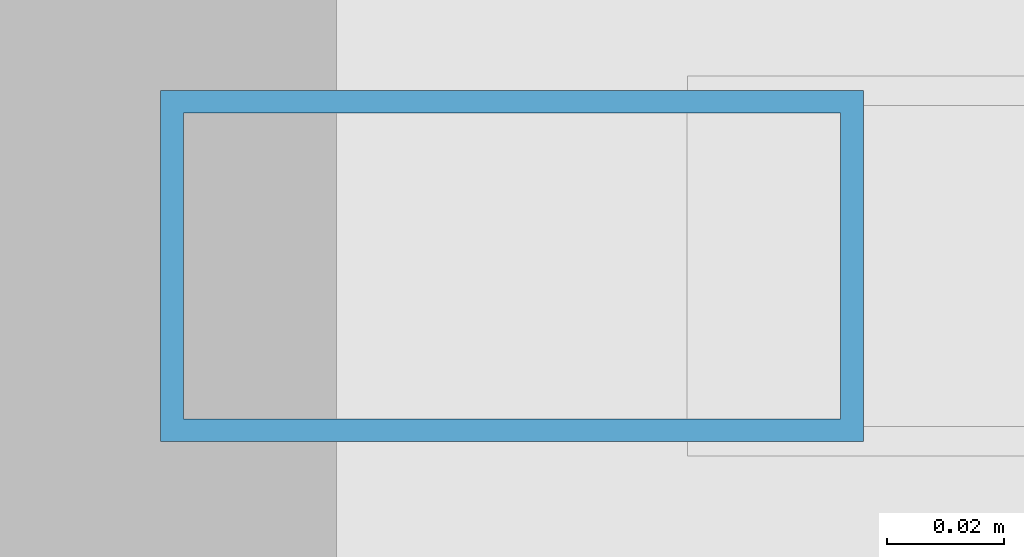
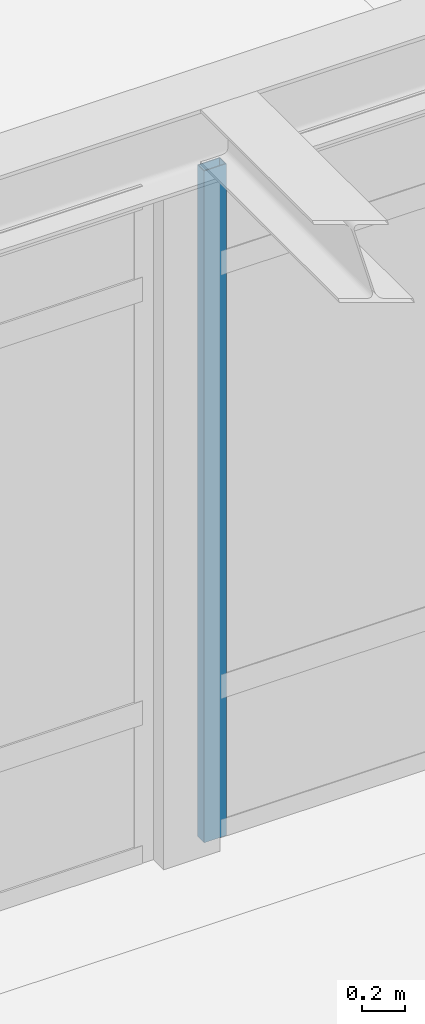
# One storey, part 32 of 55: 1 member, 1 element without a shape of its own.
"""IFC4 building model written with IfcOpenShell, lengths in metres."""

from ifc_helpers import new_model, si_unit, direction, frame, origin, origin_2d, place, context, subcontext, project, spatial, hollow_rectangle, extrude, material, layer, layer_set, material_profile, profile_set, type_object, element, aggregate, save


model = new_model("IFC4")

# Units and contexts
model_context = context("Model", 3, precision=1e-05, world=origin(), true_north=direction((0.0, 1.0)))
body_context = subcontext(model_context, "Body", "Model", "MODEL_VIEW")
ifc_project = project(units=[si_unit("LENGTHUNIT", "METRE"), si_unit("AREAUNIT", "SQUARE_METRE"), si_unit("VOLUMEUNIT", "CUBIC_METRE"), si_unit("PLANEANGLEUNIT", "RADIAN"), si_unit("MASSUNIT", "GRAM", prefix="KILO")], contexts=[model_context])

# Site, building, storey
site_placement = place(None, origin())
site = spatial("IfcSite", under=ifc_project, at=site_placement, CompositionType="ELEMENT")
building_placement = place(site_placement, origin())
building = spatial("IfcBuilding", under=site, at=building_placement, Name="Fikremerkos Civic Library", CompositionType="ELEMENT")
storey_placement = place(building_placement, frame((0.0, 0.0, 18.89990234375)))
storey = spatial("IfcBuildingStorey", under=building, at=storey_placement, Name="L04", CompositionType="ELEMENT", Elevation=18.89990234375)

# Curtain wall, member
ifc_material = material(Name="Anodized aluminium Frame", Category="aluminium")
ifc_layer = layer(ifc_material, 0.159912109375, Name="Anodized aluminium Frame")
ifc_layer_set = layer_set([ifc_layer], Name="Anodized aluminium Frame")
curtain_wall_type = type_object("IfcCurtainWallType", Name="Unitised curtain wall CW-12 4300x3400", PredefinedType="USERDEFINED", material=ifc_layer_set)
curtain_wall_placement = place(storey_placement, origin())
curtain_wall = element("IfcCurtainWall", 1, at=curtain_wall_placement, inside=storey, type_object=curtain_wall_type, Name="Unitised curtain wall CW-12 L04 #246", ObjectType="UNITISED CURTAIN WALL", PredefinedType="USERDEFINED")
ifc_material_profile = material_profile(ifc_material, hollow_rectangle(XDim=0.06005859375, YDim=0.1201171875, WallThickness=0.00390625, at=origin_2d()), Name="ALU 120x60x4")
ifc_profile_set = profile_set([ifc_material_profile], Name="Anodized aluminium Frame")
member_type = type_object("IfcMemberType", Name="Curtain mullion CWM-04 ALU 120x60x4", PredefinedType="MULLION", material=ifc_profile_set)
member_placement = place(storey_placement, frame((95.697265625, 31.199951171875, 0.0), z_axis=(0.0, 0.0, 1.0), x_axis=(0.0, 1.0, 0.0)))
member = element("IfcMember", 2, at=member_placement, type_object=member_type, Name="CW-12 mullion 1", PredefinedType="MULLION", context=body_context, shape_type="SweptSolid", body=[
    extrude(hollow_rectangle(XDim=0.06005859375, YDim=0.1201171875, WallThickness=0.00390625, at=origin_2d()), origin(), (0.0, 0.0, 1.0), 3.7900390625),
])
aggregate(curtain_wall, [member])

save(model, "model.ifc")
